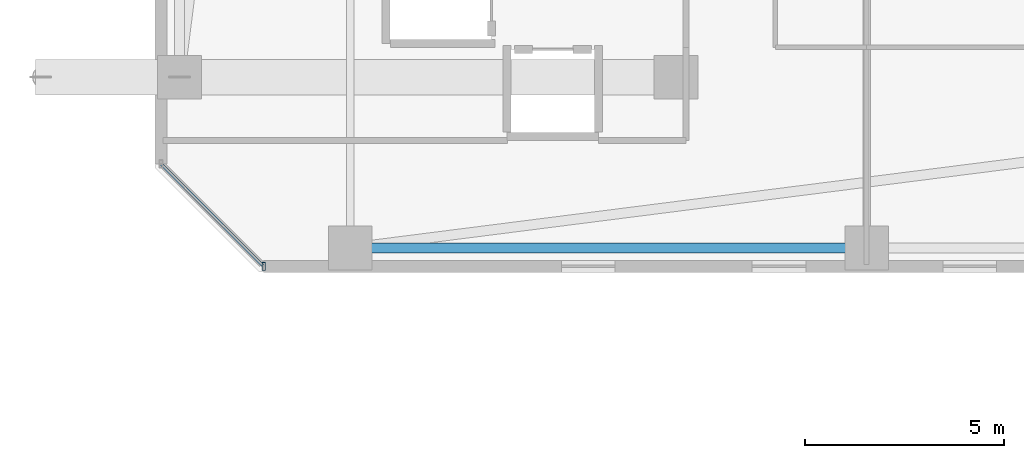
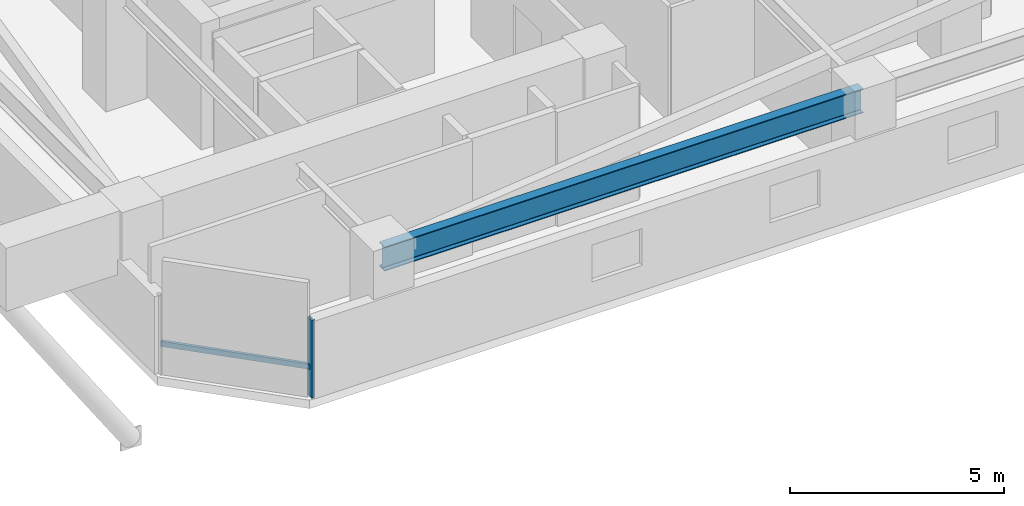
# One storey, part 12 of 36: 2 members, 1 beam, 1 element without a shape of its own.
"""IFC4 building model written with IfcOpenShell, lengths in metres."""

from ifc_helpers import new_model, si_unit, direction, frame, origin, origin_2d, place, context, subcontext, project, spatial, hollow_rectangle, i_section, extrude, material, material_profile, profile_set, type_object, element, aggregate, save


model = new_model("IFC4")

# Units and contexts
model_context = context("Model", 3, precision=1e-05, world=origin(), true_north=direction((0.0, 1.0)))
body_context = subcontext(model_context, "Body", "Model", "MODEL_VIEW")
ifc_project = project(units=[si_unit("LENGTHUNIT", "METRE"), si_unit("AREAUNIT", "SQUARE_METRE"), si_unit("VOLUMEUNIT", "CUBIC_METRE"), si_unit("PLANEANGLEUNIT", "RADIAN"), si_unit("MASSUNIT", "GRAM", prefix="KILO")], contexts=[model_context])

# Site, building, storey
site_placement = place(None, origin())
site = spatial("IfcSite", under=ifc_project, at=site_placement, CompositionType="ELEMENT")
building_placement = place(site_placement, origin())
building = spatial("IfcBuilding", under=site, at=building_placement, Name="Thornwick Lancets Civic Towers", CompositionType="ELEMENT")
storey_placement = place(building_placement, frame((0.0, 0.0, 170.699951171875)))
storey = spatial("IfcBuildingStorey", under=building, at=storey_placement, Name="L45", CompositionType="ELEMENT", Elevation=170.699951171875)

# Beam
ifc_material_1 = material(Name="Steel S355JR", Category="steel")
ifc_material_profile_1 = material_profile(ifc_material_1, i_section(OverallWidth=0.255859375, OverallDepth=0.69287109375, WebThickness=0.014404296875, FlangeThickness=0.023681640625, FilletRadius=0.01513671875, at=origin_2d()), Name="UKB 686x254x170")
ifc_profile_set_1 = profile_set([ifc_material_profile_1], Name="Steel S355JR")
beam_type = type_object("IfcBeamType", Name="BM_GIRD_686_170", PredefinedType="BEAM", material=ifc_profile_set_1)
beam_placement = place(storey_placement, frame((88.419921875, 9.699951171875, 2.93359375), z_axis=(-1.0, 0.0, 0.0), x_axis=(0.0, -1.0, 0.0)))
element("IfcBeam", 1, at=beam_placement, inside=storey, type_object=beam_type, Name="BM-SPINE-L45-B-10-11", PredefinedType="BEAM", context=body_context, shape_type="SweptSolid", body=[
    extrude(i_section(OverallWidth=0.255859375, OverallDepth=0.69287109375, WebThickness=0.014404296875, FlangeThickness=0.023681640625, FilletRadius=0.01513671875, at=origin_2d()), origin(), (0.0, 0.0, 1.0), 12.919921875),
])

# Curtain wall, members
ifc_material_2 = material(Name="Mid-zone chamfered-corner unitised glass curtain wall", Category="glass")
curtain_wall_type = type_object("IfcCurtainWallType", Name="CW_SYS_04", PredefinedType="NOTDEFINED", material=ifc_material_2)
curtain_wall_placement = place(storey_placement, origin())
curtain_wall = element("IfcCurtainWall", 2, at=curtain_wall_placement, inside=storey, type_object=curtain_wall_type, Name="L45 Curtain Wall CW-L45-B-E7", PredefinedType="NOTDEFINED")
ifc_material_3 = material(Name="Thermally broken bronze aluminium S355", Category="steel")
ifc_material_profile_2 = material_profile(ifc_material_3, hollow_rectangle(XDim=0.080078125, YDim=0.199951171875, WallThickness=0.006103515625, at=origin_2d()), Name="RHS 200x80x6")
ifc_profile_set_2 = profile_set([ifc_material_profile_2], Name="Thermally broken bronze aluminium S355")
member_type_1 = type_object("IfcMemberType", Name="CW_MUL_200", PredefinedType="MULLION", material=ifc_profile_set_2)
member_1_placement = place(storey_placement, frame((73.318603515625, 9.2353515625, 0.0), z_axis=(0.0, 0.0, 1.0), x_axis=(1.0, 0.0, 0.0)))
member_1 = element("IfcMember", 3, at=member_1_placement, type_object=member_type_1, Name="CW-L45-B-E7 Mullion 1", PredefinedType="MULLION", context=body_context, shape_type="SweptSolid", body=[
    extrude(hollow_rectangle(XDim=0.080078125, YDim=0.199951171875, WallThickness=0.006103515625, at=origin_2d()), origin(), (0.0, 0.0, 1.0), 2.219970703125),
])
ifc_material_profile_3 = material_profile(ifc_material_3, hollow_rectangle(XDim=0.074951171875, YDim=0.14990234375, WallThickness=0.0048828125, at=origin_2d()), Name="RHS 150x75x5")
ifc_profile_set_3 = profile_set([ifc_material_profile_3], Name="Thermally broken bronze aluminium S355")
member_type_2 = type_object("IfcMemberType", Name="CW_TRN_150", PredefinedType="USERDEFINED", material=ifc_profile_set_3)
member_2_placement = place(storey_placement, frame((70.74951171875, 11.804443359375, 0.85009765625), z_axis=(0.707106781187, -0.707106781187, 0.0), x_axis=(0.707106781187, 0.707106781187, 0.0)))
member_2 = element("IfcMember", 4, at=member_2_placement, type_object=member_type_2, Name="CW-L45-B-E7 Transom 0", ObjectType="TRANSOM", PredefinedType="USERDEFINED", context=body_context, shape_type="SweptSolid", body=[
    extrude(hollow_rectangle(XDim=0.074951171875, YDim=0.14990234375, WallThickness=0.0048828125, at=origin_2d()), origin(), (0.0, 0.0, 1.0), 3.61328125),
])
aggregate(curtain_wall, [member_1, member_2])

save(model, "model.ifc")
